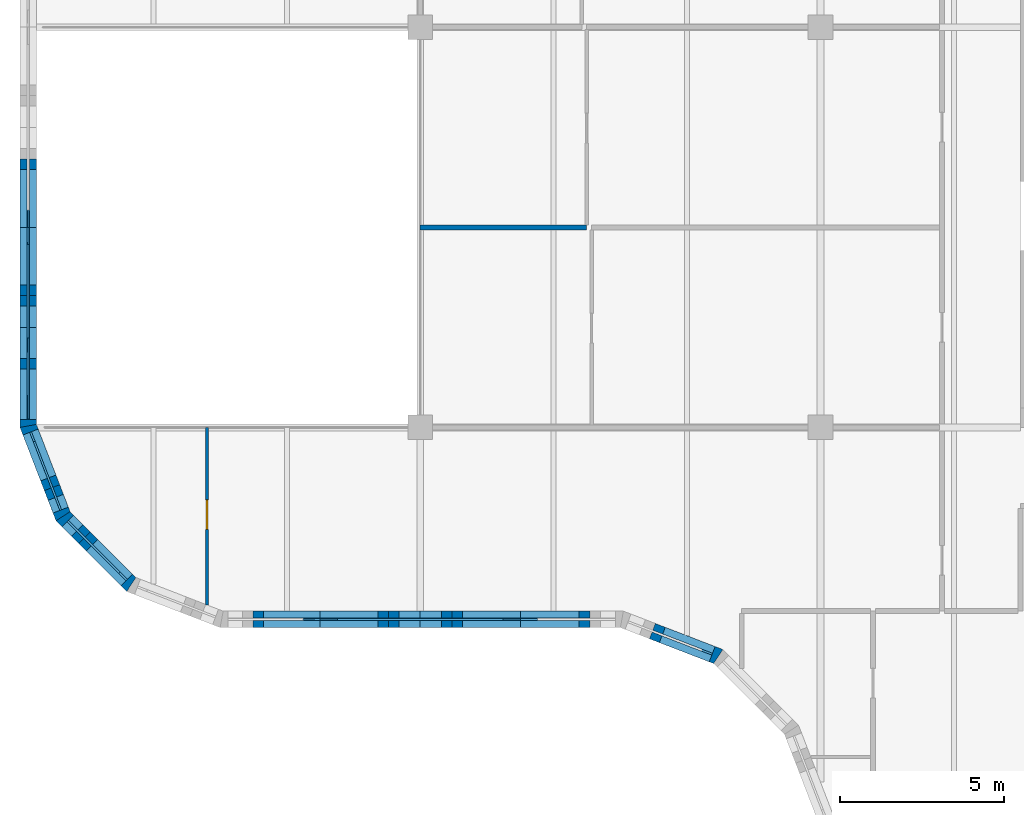
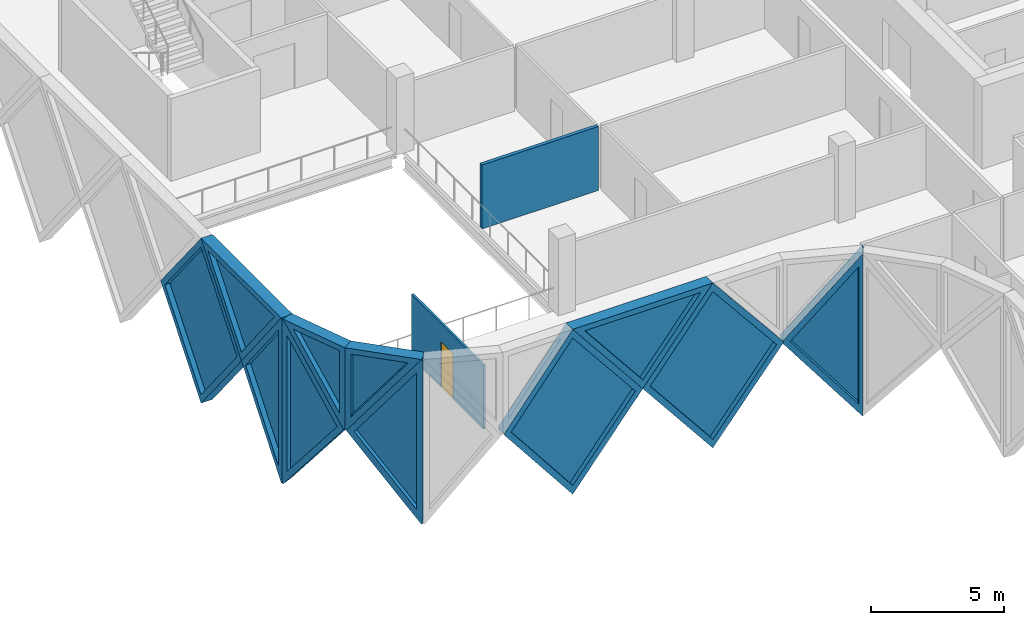
# One storey, part 4 of 15: 13 walls, 11 plates, 1 door, 12 openings.
"""IFC4 building model written with IfcOpenShell, lengths in metres."""

import ifcopenshell
import ifcopenshell.guid

model = None  # the IFC model being written
_history = None  # IfcOwnerHistory: only IFC2X3 demands one
_inside = {}  # id of a spatial element -> (the spatial element, [elements in it])
_under = {}  # id of a project, library or spatial element -> (it, [spatial elements below it])
_declared = {}  # id of a project -> (the project, [libraries it declares])
_typed = {}  # id of a type object -> (the type object, [elements of that type])
_made_of = {}  # id of a material, layer set ... -> (it, [elements and type objects made of it])


def new_model(schema):
    """Start an empty IFC model of exactly this schema.

    Asked for "IFC4X3", IfcOpenShell would pick the latest addendum, in which some entities
    have other attributes; the version numbers below select the first issue.
    IFC2X3 requires an IfcOwnerHistory on every rooted entity: one is made here for all.
    """
    global model, _history
    if schema == "IFC4X3":
        model = ifcopenshell.file(schema_version=(4, 3, 0, 0))
    else:
        model = ifcopenshell.file(schema=schema)
    _inside.clear()
    _under.clear()
    _declared.clear()
    _typed.clear()
    _made_of.clear()
    _history = None
    if model.schema == "IFC2X3":
        org = make("IfcOrganization", Name="unknown")
        user = make(
            "IfcPersonAndOrganization",
            ThePerson=make("IfcPerson", FamilyName="unknown"),
            TheOrganization=org,
        )
        app = make(
            "IfcApplication",
            ApplicationDeveloper=org,
            Version="unknown",
            ApplicationFullName="unknown",
            ApplicationIdentifier="unknown",
        )
        _history = make(
            "IfcOwnerHistory",
            OwningUser=user,
            OwningApplication=app,
            ChangeAction="ADDED",
            CreationDate=0,
        )
    return model


def make(cls, **values):
    """One entity of the class cls with the attributes given. An attribute that is None is left unset."""
    return model.create_entity(
        cls, **{name: value for name, value in values.items() if value is not None}
    )


def rooted(cls, **values):
    """An entity with a GlobalId (a new one), such as an element, a storey or a relation."""
    return make(cls, GlobalId=ifcopenshell.guid.new(), OwnerHistory=_history, **values)


def si_unit(unit_type, name, prefix=None):
    """IfcSIUnit, for example si_unit("LENGTHUNIT", "METRE", prefix="MILLI")."""
    return make("IfcSIUnit", UnitType=unit_type, Prefix=prefix, Name=name)


def assignment(units):
    """IfcUnitAssignment: the units of a project."""
    return None if units is None else make("IfcUnitAssignment", Units=units)


def point(xyz):
    """IfcCartesianPoint."""
    return None if xyz is None else make("IfcCartesianPoint", Coordinates=xyz)


def direction(xyz):
    """IfcDirection."""
    return None if xyz is None else make("IfcDirection", DirectionRatios=xyz)


def frame(location, z_axis=None, x_axis=None):
    """IfcAxis2Placement3D, a coordinate frame: its origin and axes. An axis left out is left unset."""
    return make(
        "IfcAxis2Placement3D",
        Location=point(location),
        Axis=direction(z_axis),
        RefDirection=direction(x_axis),
    )


def frame_2d(location, x_axis=None):
    """IfcAxis2Placement2D, a coordinate frame in the plane: its origin and x axis."""
    return make(
        "IfcAxis2Placement2D", Location=point(location), RefDirection=direction(x_axis)
    )


def origin():
    """The frame at (0, 0, 0) with its axes left unset."""
    return frame((0.0, 0.0, 0.0))


def place(relative_to, where):
    """IfcLocalPlacement: puts the frame where relative to a parent placement (None: the world)."""
    return make(
        "IfcLocalPlacement", PlacementRelTo=relative_to, RelativePlacement=where
    )


def context(
    kind, dimensions, precision=None, world=None, true_north=None, identifier=None
):
    """IfcGeometricRepresentationContext, for example the 3D "Model" context."""
    return make(
        "IfcGeometricRepresentationContext",
        ContextIdentifier=identifier,
        ContextType=kind,
        CoordinateSpaceDimension=dimensions,
        Precision=precision,
        WorldCoordinateSystem=world,
        TrueNorth=true_north,
    )


def subcontext(parent, identifier, kind, view, scale=None):
    """IfcGeometricRepresentationSubContext, for example "Body" below "Model"."""
    return make(
        "IfcGeometricRepresentationSubContext",
        ContextIdentifier=identifier,
        ContextType=kind,
        ParentContext=parent,
        TargetScale=scale,
        TargetView=view,
    )


def project(units=None, contexts=None):
    """IfcProject with its units and contexts."""
    return rooted(
        "IfcProject",
        Name="project",
        RepresentationContexts=contexts,
        UnitsInContext=assignment(units),
    )


def spatial(cls, under=None, at=None, **own):
    """A site, building, storey or space (cls), placed at a placement, below another one or the project."""
    s = rooted(cls, ObjectPlacement=at, **own)
    if under is not None:
        _under.setdefault(under.id(), (under, []))[1].append(s)
    return s


def polyline(points):
    """IfcPolyline through the points."""
    return make("IfcPolyline", Points=[point(p) for p in points])


def profile(cls, at=None, kind="AREA", **sizes):
    """A parametric profile (cls). Its sizes go by their IFC names, for example OverallWidth=200.0."""
    return make(cls, ProfileType=kind, Position=at, **sizes)


def rectangle(**sizes):
    """IfcRectangleProfileDef."""
    return profile("IfcRectangleProfileDef", **sizes)


def outline(outer, holes=None, kind="AREA"):
    """IfcArbitraryClosedProfileDef: a profile drawn as a closed curve; with holes, ...WithVoids."""
    if holes is None:
        return make("IfcArbitraryClosedProfileDef", ProfileType=kind, OuterCurve=outer)
    return make(
        "IfcArbitraryProfileDefWithVoids",
        ProfileType=kind,
        OuterCurve=outer,
        InnerCurves=holes,
    )


def extrude(swept, where, along, depth):
    """IfcExtrudedAreaSolid: the profile swept, set in the frame where, extruded along a direction by depth."""
    return make(
        "IfcExtrudedAreaSolid",
        SweptArea=swept,
        Position=where,
        ExtrudedDirection=direction(along),
        Depth=depth,
    )


def faces_of(points, faces, orient=None, outer=None):
    """IfcFace entities. A face is a list of loops; a loop is a list of indices into points, from 0.

    orient and outer hold one flag for each loop. By default every Orientation is true, the
    first loop of a face is its IfcFaceOuterBound and the others are IfcFaceBound.
    """
    made = []
    for i, loops in enumerate(faces):
        bounds = []
        for j, loop in enumerate(loops):
            is_outer = j == 0 if outer is None else outer[i][j]
            bounds.append(
                make(
                    "IfcFaceOuterBound" if is_outer else "IfcFaceBound",
                    Bound=make("IfcPolyLoop", Polygon=[points[k] for k in loop]),
                    Orientation=True if orient is None else orient[i][j],
                )
            )
        made.append(make("IfcFace", Bounds=bounds))
    return made


def faceted_brep(points, faces, orient=None, outer=None, voids=None):
    """IfcFacetedBrep: a solid bounded by flat faces; with voids (closed shells), ...WithVoids."""
    shared = [point(p) for p in points]
    hull = make("IfcClosedShell", CfsFaces=faces_of(shared, faces, orient, outer))
    if voids is None:
        return make("IfcFacetedBrep", Outer=hull)
    return make(
        "IfcFacetedBrepWithVoids",
        Outer=hull,
        Voids=[
            make(cls, CfsFaces=faces_of(shared, fs, o, b)) for cls, fs, o, b in voids
        ],
    )


def shape(context_of_items, identifier, shape_type, items):
    """IfcShapeRepresentation: the items that make up one representation, for example the "Body"."""
    return make(
        "IfcShapeRepresentation",
        ContextOfItems=context_of_items,
        RepresentationIdentifier=identifier,
        RepresentationType=shape_type,
        Items=items,
    )


def source(mapping_origin, context_of_items, identifier, shape_type, items):
    """IfcRepresentationMap: a shape defined once, which mapped items show again and again."""
    return make(
        "IfcRepresentationMap",
        MappingOrigin=mapping_origin,
        MappedRepresentation=shape(context_of_items, identifier, shape_type, items),
    )


def transform(
    local_origin,
    x_axis=None,
    y_axis=None,
    z_axis=None,
    scale=None,
    scale2=None,
    scale3=None,
    uniform=True,
):
    """IfcCartesianTransformationOperator3D, or its non-uniform kind. x_axis, y_axis, z_axis: its Axis1, 2, 3."""
    if uniform:
        return make(
            "IfcCartesianTransformationOperator3D",
            Axis1=direction(x_axis),
            Axis2=direction(y_axis),
            LocalOrigin=point(local_origin),
            Scale=scale,
            Axis3=direction(z_axis),
        )
    return make(
        "IfcCartesianTransformationOperator3DnonUniform",
        Axis1=direction(x_axis),
        Axis2=direction(y_axis),
        LocalOrigin=point(local_origin),
        Scale=scale,
        Axis3=direction(z_axis),
        Scale2=scale2,
        Scale3=scale3,
    )


def mapped(mapping_source, mapping_target):
    """IfcMappedItem: shows the shape of a source again, moved by a transform."""
    return make(
        "IfcMappedItem", MappingSource=mapping_source, MappingTarget=mapping_target
    )


def material(Name=None, Category=None):
    """IfcMaterial."""
    return make("IfcMaterial", Name=Name, Category=Category)


def layer(
    of_material, thickness, ventilated=None, Name=None, Category=None, Priority=None
):
    """IfcMaterialLayer: one layer of a wall or slab, of a material (None: an air gap)."""
    return make(
        "IfcMaterialLayer",
        Material=of_material,
        LayerThickness=thickness,
        IsVentilated=ventilated,
        Name=Name,
        Category=Category,
        Priority=Priority,
    )


def layer_set(layers, Name=None):
    """IfcMaterialLayerSet."""
    return make("IfcMaterialLayerSet", MaterialLayers=layers, LayerSetName=Name)


def made_of(thing, what):
    """Note that an element or type object is made of a material, layer set ...; save() writes the relation."""
    if what is not None:
        _made_of.setdefault(what.id(), (what, []))[1].append(thing)
    return thing


def type_object(cls, material=None, **own):
    """A type object (cls), such as IfcWallType, which elements share."""
    return made_of(rooted(cls, **own), material)


def element(
    cls,
    number,
    at=None,
    inside=None,
    cuts=None,
    type_object=None,
    material=None,
    context=None,
    identifier="Body",
    shape_type=None,
    held_by="IfcProductDefinitionShape",
    body=None,
    shapes=None,
    **own,
):
    """One element of the class cls, such as IfcWall. Its Tag is "e" and its number.

    at: its placement. inside: the storey or other place that contains it. cuts: it is an
    opening in that element (IfcRelVoidsElement). A single representation is given by context,
    identifier, shape_type and body (its items); several are given by shapes. held_by: the class
    of the entity that holds the representations. save() writes the other relations.
    """
    e = rooted(cls, Tag="e%d" % number, ObjectPlacement=at, **own)
    if body is not None:
        shapes = [shape(context, identifier, shape_type, body)]
    if shapes is not None:
        e.Representation = make(held_by, Representations=shapes)
    if inside is not None:
        _inside.setdefault(inside.id(), (inside, []))[1].append(e)
    if cuts is not None:
        rooted(
            "IfcRelVoidsElement", RelatingBuildingElement=cuts, RelatedOpeningElement=e
        )
    if type_object is not None:
        _typed.setdefault(type_object.id(), (type_object, []))[1].append(e)
    return made_of(e, material)


def fill(opening, filler):
    """IfcRelFillsElement: the door or window that sits in an opening."""
    return rooted(
        "IfcRelFillsElement",
        RelatingOpeningElement=opening,
        RelatedBuildingElement=filler,
    )


def aggregate(whole, parts):
    """IfcRelAggregates: a whole, such as a stair, and the parts it consists of."""
    return rooted("IfcRelAggregates", RelatingObject=whole, RelatedObjects=parts)


def save(model, path):
    """Write the relations noted so far, then the file.

    IfcRelAggregates (storeys below a building ...), IfcRelContainedInSpatialStructure (elements
    in a storey), IfcRelDefinesByType, IfcRelAssociatesMaterial and IfcRelDeclares: one each for
    every whole, place, type object, material and project.
    """
    for whole, parts in _under.values():
        aggregate(whole, parts)
    for where, things in _inside.values():
        rooted(
            "IfcRelContainedInSpatialStructure",
            RelatedElements=things,
            RelatingStructure=where,
        )
    for kind, things in _typed.values():
        rooted("IfcRelDefinesByType", RelatedObjects=things, RelatingType=kind)
    for what, things in _made_of.values():
        rooted("IfcRelAssociatesMaterial", RelatedObjects=things, RelatingMaterial=what)
    for by, libraries in _declared.values():
        rooted("IfcRelDeclares", RelatingContext=by, RelatedDefinitions=libraries)
    model.write(path)


model = new_model("IFC4")

# Units and contexts
model_context = context("Model", 3, precision=1e-05, world=origin(), true_north=direction((0.0, 1.0)))
body_context = subcontext(model_context, "Body", "Model", "MODEL_VIEW")
ifc_project = project(units=[si_unit("LENGTHUNIT", "METRE"), si_unit("AREAUNIT", "SQUARE_METRE"), si_unit("VOLUMEUNIT", "CUBIC_METRE"), si_unit("PLANEANGLEUNIT", "RADIAN"), si_unit("MASSUNIT", "GRAM", prefix="KILO")], contexts=[model_context])

# Site, building, storey
site_placement = place(None, origin())
site = spatial("IfcSite", under=ifc_project, at=site_placement, CompositionType="ELEMENT")
building_placement = place(site_placement, origin())
building = spatial("IfcBuilding", under=site, at=building_placement, Name="Tessera Gate Towers", CompositionType="ELEMENT")
storey_placement = place(building_placement, frame((0.0, 0.0, 189.60009765625)))
storey = spatial("IfcBuildingStorey", under=building, at=storey_placement, Name="L47", CompositionType="ELEMENT", Elevation=189.60009765625)

# Wall, opening, door
ifc_material_1 = material(Name="Glass", Category="glass")
ifc_layer_1 = layer(ifc_material_1, 0.10009765625)
ifc_layer_set_1 = layer_set([ifc_layer_1], Name="GLAZED PARTITION 100")
wall_type_1 = type_object("IfcWallType", Name="GLAZED PARTITION 100", PredefinedType="PARTITIONING", material=ifc_layer_set_1)
wall_1_placement = place(storey_placement, frame((5.699951171875, 18.990234375, 0.0), z_axis=(0.0, 0.0, 1.0), x_axis=(0.0, 1.0, 0.0)))
wall_1 = element("IfcWall", 1, at=wall_1_placement, inside=storey, type_object=wall_type_1, Name="T1-L47-PW-022", PredefinedType="PARTITIONING", context=body_context, shape_type="SweptSolid", body=[
    extrude(rectangle(XDim=5.40966796875, YDim=0.10009765625, at=frame_2d((2.704833984375, 0.0))), origin(), (0.0, 0.0, 1.0), 2.947021484375),
])
shared_shape_1 = source(origin(), body_context, "Body", "SweptSolid", [
    extrude(rectangle(XDim=0.89990234375, YDim=2.10009765625, at=frame_2d((0.449951171875, 1.050048828125))), frame((0.0, 0.06005859375, 0.0), z_axis=(0.0, -1.0, 0.0), x_axis=(1.0, 0.0, 0.0)), (0.0, 0.0, 1.0), 0.1201171875),
])
opening_1_placement = place(wall_1_placement, frame((2.300048828125, 0.0, 0.0)))
opening_1 = element("IfcOpeningElement", 2, at=opening_1_placement, cuts=wall_1, Name="Opening D690-A17-04", PredefinedType="OPENING", context=body_context, shape_type="MappedRepresentation", body=[
    mapped(shared_shape_1, transform((0.0, 0.0, 0.0), scale=1.0)),
])
ifc_material_2 = material(Name="Glass in aluminium frame", Category="aluminium")
door_type = type_object("IfcDoorType", Name="GLAZED DOOR 900 NOT RATED", OperationType="NOTDEFINED", PredefinedType="DOOR", material=ifc_material_2)
shared_shape_2 = source(origin(), body_context, "Body", "SweptSolid", [
    extrude(rectangle(XDim=0.89990234375, YDim=2.10009765625, at=frame_2d((0.449951171875, 1.050048828125))), frame((0.0, 0.02490234375, 0.0), z_axis=(0.0, -1.0, 0.0), x_axis=(1.0, 0.0, 0.0)), (0.0, 0.0, 1.0), 0.050048828125),
])
door_placement = place(opening_1_placement, origin())
door = element("IfcDoor", 3, at=door_placement, inside=storey, type_object=door_type, Name="T1-L47-PD-010", OperationType="SINGLE_SWING_LEFT", OverallHeight=2.10009765625, OverallWidth=0.89990234375, PredefinedType="DOOR", context=body_context, shape_type="MappedRepresentation", body=[
    mapped(shared_shape_2, transform((0.0, 0.0, 0.0), scale=1.0)),
])
fill(opening_1, door)

# Wall
ifc_material_3 = material(Name="Gypsum board on steel studs, mineral wool", Category="steel")
ifc_layer_2 = layer(ifc_material_3, 0.14990234375)
ifc_layer_set_2 = layer_set([ifc_layer_2], Name="TENANCY WALL 150")
wall_type_2 = type_object("IfcWallType", Name="TENANCY WALL 150", PredefinedType="PARTITIONING", material=ifc_layer_set_2)
wall_2_placement = place(storey_placement, frame((12.199951171875, 30.5, 0.0), z_axis=(0.0, 0.0, 1.0), x_axis=(1.0, 0.0, 0.0)))
element("IfcWall", 4, at=wall_2_placement, inside=storey, type_object=wall_type_2, Name="T1-L47-PW-031", PredefinedType="PARTITIONING", context=body_context, shape_type="SweptSolid", body=[
    extrude(rectangle(XDim=5.074951171875, YDim=0.14990234375, at=frame_2d((2.53759765625, 0.0))), origin(), (0.0, 0.0, 1.0), 2.947021484375),
])

# Wall, opening, plate
ifc_material_4 = material(Name="Precast concrete C60/75 white", Category="concrete")
ifc_layer_3 = layer(ifc_material_4, 0.5)
ifc_layer_set_3 = layer_set([ifc_layer_3], Name="TS1 tessera")
wall_type_3 = type_object("IfcWallType", Name="TS1 tessera", PredefinedType="SOLIDWALL", material=ifc_layer_set_3)
shared_shape_3 = source(origin(), body_context, "Body", "Brep", [
    faceted_brep([(3.00341796875, -0.25, 0.0), (6.053466796875, -0.25, 3.800048828125), (3.00341796875, -0.25, 7.599853515625), (0.0, -0.25, 3.800048828125), (0.046630859375, 0.25, 3.85888671875), (3.00341796875, 0.25, 7.599853515625), (6.053466796875, 0.25, 3.800048828125), (3.00341796875, 0.25, 0.0), (0.046630859375, 0.25, 3.7412109375), (0.0, 0.0, 3.800048828125)], [[[0, 1, 2, 3]], [[4, 5, 6, 7, 8]], [[7, 6, 1, 0]], [[6, 5, 2, 1]], [[5, 4, 9, 3, 2]], [[8, 7, 0, 3, 9]], [[8, 9, 4]]]),
])
wall_3_placement = place(storey_placement, frame((6.146484375, 18.550048828125, -3.800048828125), z_axis=(0.0, 0.0, 1.0), x_axis=(1.0, 0.0, 0.0)))
wall_3 = element("IfcWall", 5, at=wall_3_placement, inside=storey, type_object=wall_type_3, Name="Precast tessera T1 TS1-0849", PredefinedType="SOLIDWALL", context=body_context, shape_type="MappedRepresentation", body=[
    mapped(shared_shape_3, transform((0.0, 0.0, 0.0), scale=1.0)),
])
shared_shape_4 = source(origin(), body_context, "Body", "SweptSolid", [
    extrude(outline(polyline([(3.0048828125, 0.401123046875), (5.73291015625, 3.800048828125), (3.0048828125, 7.19873046875), (0.318603515625, 3.800048828125), (3.0048828125, 0.401123046875)])), frame((0.0, 0.260009765625, 0.0), z_axis=(0.0, -1.0, 0.0), x_axis=(1.0, 0.0, 0.0)), (0.0, 0.0, 1.0), 0.52001953125),
])
opening_2_placement = place(wall_3_placement, origin())
opening_2 = element("IfcOpeningElement", 6, at=opening_2_placement, cuts=wall_3, Name="Opening T1-PL2-1729", PredefinedType="OPENING", context=body_context, shape_type="MappedRepresentation", body=[
    mapped(shared_shape_4, transform((0.0, 0.0, 0.0), scale=1.0)),
])
ifc_material_5 = material(Name="Low-e laminated glass", Category="glass")
ifc_layer_4 = layer(ifc_material_5, 0.06005859375)
ifc_layer_set_4 = layer_set([ifc_layer_4], Name="PL2 rhombic pane")
plate_type_1 = type_object("IfcPlateType", Name="PL2 rhombic pane", PredefinedType="SHEET", material=ifc_layer_set_4)
shared_shape_5 = source(origin(), body_context, "Body", "SweptSolid", [
    extrude(outline(polyline([(3.0048828125, 0.401123046875), (5.73291015625, 3.800048828125), (3.0048828125, 7.19873046875), (0.318603515625, 3.800048828125), (3.0048828125, 0.401123046875)])), frame((0.0, 0.030029296875, 0.0), z_axis=(0.0, -1.0, 0.0), x_axis=(1.0, 0.0, 0.0)), (0.0, 0.0, 1.0), 0.06005859375),
])
plate_1_placement = place(opening_2_placement, origin())
plate_1 = element("IfcPlate", 7, at=plate_1_placement, inside=storey, type_object=plate_type_1, Name="Glass pane T1 PL2-1729", PredefinedType="SHEET", context=body_context, shape_type="MappedRepresentation", body=[
    mapped(shared_shape_5, transform((0.0, 0.0, 0.0), scale=1.0)),
])
fill(opening_2, plate_1)

shared_shape_6 = source(origin(), body_context, "Body", "SweptSolid", [
    extrude(outline(polyline([(3.050048828125, 0.0), (6.10009765625, 3.800048828125), (3.050048828125, 7.599853515625), (0.0, 3.800048828125), (3.050048828125, 0.0)])), frame((0.0, 0.25, 0.0), z_axis=(0.0, -1.0, 0.0), x_axis=(1.0, 0.0, 0.0)), (0.0, 0.0, 1.0), 0.5),
])
wall_4_placement = place(storey_placement, frame((0.25, 33.550048828125, -3.800048828125), z_axis=(0.0, 0.0, 1.0), x_axis=(0.0, -1.0, 0.0)))
wall_4 = element("IfcWall", 8, at=wall_4_placement, inside=storey, type_object=wall_type_3, Name="Precast tessera T1 TS1-0848", PredefinedType="SOLIDWALL", context=body_context, shape_type="MappedRepresentation", body=[
    mapped(shared_shape_6, transform((0.0, 0.0, 0.0), scale=1.0)),
])
shared_shape_7 = source(origin(), body_context, "Body", "SweptSolid", [
    extrude(outline(polyline([(3.050048828125, 0.3994140625), (5.779541015625, 3.800048828125), (3.050048828125, 7.200439453125), (0.320556640625, 3.800048828125), (3.050048828125, 0.3994140625)])), frame((0.0, 0.260009765625, 0.0), z_axis=(0.0, -1.0, 0.0), x_axis=(1.0, 0.0, 0.0)), (0.0, 0.0, 1.0), 0.52001953125),
])
opening_3_placement = place(wall_4_placement, origin())
opening_3 = element("IfcOpeningElement", 9, at=opening_3_placement, cuts=wall_4, Name="Opening T1-PL2-1724", PredefinedType="OPENING", context=body_context, shape_type="MappedRepresentation", body=[
    mapped(shared_shape_7, transform((0.0, 0.0, 0.0), scale=1.0)),
])
shared_shape_8 = source(origin(), body_context, "Body", "SweptSolid", [
    extrude(outline(polyline([(3.050048828125, 0.3994140625), (5.779541015625, 3.800048828125), (3.050048828125, 7.200439453125), (0.320556640625, 3.800048828125), (3.050048828125, 0.3994140625)])), frame((0.0, 0.030029296875, 0.0), z_axis=(0.0, -1.0, 0.0), x_axis=(1.0, 0.0, 0.0)), (0.0, 0.0, 1.0), 0.06005859375),
])
plate_2_placement = place(opening_3_placement, origin())
plate_2 = element("IfcPlate", 10, at=plate_2_placement, inside=storey, type_object=plate_type_1, Name="Glass pane T1 PL2-1724", PredefinedType="SHEET", context=body_context, shape_type="MappedRepresentation", body=[
    mapped(shared_shape_8, transform((0.0, 0.0, 0.0), scale=1.0)),
])
fill(opening_3, plate_2)

ifc_material_6 = material(Name="Precast concrete C60/75 white", Category="concrete")
ifc_layer_5 = layer(ifc_material_6, 0.5)
ifc_layer_set_5 = layer_set([ifc_layer_5], Name="TS3 corner tessera")
wall_type_4 = type_object("IfcWallType", Name="TS3 corner tessera", PredefinedType="SOLIDWALL", material=ifc_layer_set_5)
shared_shape_9 = source(origin(), body_context, "Body", "Brep", [
    faceted_brep([(3.00341796875, -0.25, 0.0), (3.050048828125, -0.25, 0.06005859375), (3.050048828125, -0.25, 7.539794921875), (3.00341796875, -0.25, 7.599853515625), (0.0, -0.25, 3.800048828125), (0.0, 0.25, 3.800048828125), (2.956787109375, 0.25, 7.541015625), (2.956787109375, 0.25, 0.058837890625), (3.00341796875, 0.000244140625, 0.0), (3.00341796875, 0.000244140625, 7.599853515625)], [[[0, 1, 2, 3, 4]], [[5, 6, 7]], [[1, 0, 8]], [[9, 3, 2]], [[6, 5, 4, 3, 9]], [[5, 7, 8, 0, 4]], [[1, 8, 7, 6, 9, 2]]]),
])
wall_5_placement = place(storey_placement, frame((0.25, 27.449951171875, -3.800048828125), z_axis=(0.0, 0.0, 1.0), x_axis=(0.0, -1.0, 0.0)))
wall_5 = element("IfcWall", 11, at=wall_5_placement, inside=storey, type_object=wall_type_4, Name="Precast corner tessera T1 TS3-1093", PredefinedType="SOLIDWALL", context=body_context, shape_type="MappedRepresentation", body=[
    mapped(shared_shape_9, transform((0.0, 0.0, 0.0), scale=1.0)),
])
shared_shape_10 = source(origin(), body_context, "Body", "SweptSolid", [
    extrude(outline(polyline([(2.803466796875, 6.94384765625), (0.318603515625, 3.800048828125), (2.803466796875, 0.65625), (2.803466796875, 6.94384765625)])), frame((0.0, 0.260009765625, 0.0), z_axis=(0.0, -1.0, 0.0), x_axis=(1.0, 0.0, 0.0)), (0.0, 0.0, 1.0), 0.52001953125),
])
opening_4_placement = place(wall_5_placement, origin())
opening_4 = element("IfcOpeningElement", 12, at=opening_4_placement, cuts=wall_5, Name="Opening T1-PL2-1725", PredefinedType="OPENING", context=body_context, shape_type="MappedRepresentation", body=[
    mapped(shared_shape_10, transform((0.0, 0.0, 0.0), scale=1.0)),
])
shared_shape_11 = source(origin(), body_context, "Body", "SweptSolid", [
    extrude(outline(polyline([(2.803466796875, 6.94384765625), (0.318603515625, 3.800048828125), (2.803466796875, 0.65625), (2.803466796875, 6.94384765625)])), frame((0.0, 0.030029296875, 0.0), z_axis=(0.0, -1.0, 0.0), x_axis=(1.0, 0.0, 0.0)), (0.0, 0.0, 1.0), 0.06005859375),
])
plate_3_placement = place(opening_4_placement, origin())
plate_3 = element("IfcPlate", 13, at=plate_3_placement, inside=storey, type_object=plate_type_1, Name="Glass pane T1 PL2-1725", PredefinedType="SHEET", context=body_context, shape_type="MappedRepresentation", body=[
    mapped(shared_shape_11, transform((0.0, 0.0, 0.0), scale=1.0)),
])
fill(opening_4, plate_3)

shared_shape_12 = source(origin(), body_context, "Body", "Brep", [
    faceted_brep([(0.046630859375, -0.25, 0.0), (2.9970703125, -0.25, 3.800048828125), (0.046630859375, -0.25, 7.599853515625), (0.0, -0.25, 7.541015625), (0.0, -0.25, 0.058837890625), (0.09326171875, 0.25, 7.539794921875), (2.9443359375, 0.25, 3.8681640625), (2.9443359375, 0.25, 3.73193359375), (0.09326171875, 0.25, 0.06005859375), (2.9970703125, 0.00048828125, 3.800048828125), (0.046630859375, 0.0, 0.0), (0.046630859375, 0.0, 7.599853515625)], [[[0, 1, 2, 3, 4]], [[5, 6, 7, 8]], [[8, 7, 9, 1, 0, 10]], [[6, 5, 11, 2, 1, 9]], [[3, 2, 11]], [[10, 0, 4]], [[8, 10, 4, 3, 11, 5]], [[7, 6, 9]]]),
])
wall_6_placement = place(storey_placement, frame((0.233154296875, 24.489990234375, -3.800048828125), z_axis=(0.0, 0.0, 1.0), x_axis=(0.359901446078, -0.932990326376, 0.0)))
wall_6 = element("IfcWall", 14, at=wall_6_placement, inside=storey, type_object=wall_type_4, Name="Precast corner tessera T1 TS3-1094", PredefinedType="SOLIDWALL", context=body_context, shape_type="MappedRepresentation", body=[
    mapped(shared_shape_12, transform((0.0, 0.0, 0.0), scale=1.0)),
])
shared_shape_13 = source(origin(), body_context, "Body", "SweptSolid", [
    extrude(outline(polyline([(0.24658203125, 0.665283203125), (2.6806640625, 3.800048828125), (0.24658203125, 6.934814453125), (0.24658203125, 0.665283203125)])), frame((0.0, 0.260009765625, 0.0), z_axis=(0.0, -1.0, 0.0), x_axis=(1.0, 0.0, 0.0)), (0.0, 0.0, 1.0), 0.52001953125),
])
opening_5_placement = place(wall_6_placement, origin())
opening_5 = element("IfcOpeningElement", 15, at=opening_5_placement, cuts=wall_6, Name="Opening T1-PL2-1726", PredefinedType="OPENING", context=body_context, shape_type="MappedRepresentation", body=[
    mapped(shared_shape_13, transform((0.0, 0.0, 0.0), scale=1.0)),
])
shared_shape_14 = source(origin(), body_context, "Body", "SweptSolid", [
    extrude(outline(polyline([(0.24658203125, 0.665283203125), (2.6806640625, 3.800048828125), (0.24658203125, 6.934814453125), (0.24658203125, 0.665283203125)])), frame((0.0, 0.030029296875, 0.0), z_axis=(0.0, -1.0, 0.0), x_axis=(1.0, 0.0, 0.0)), (0.0, 0.0, 1.0), 0.06005859375),
])
plate_4_placement = place(opening_5_placement, origin())
plate_4 = element("IfcPlate", 16, at=plate_4_placement, inside=storey, type_object=plate_type_1, Name="Glass pane T1 PL2-1726", PredefinedType="SHEET", context=body_context, shape_type="MappedRepresentation", body=[
    mapped(shared_shape_14, transform((0.0, 0.0, 0.0), scale=1.0)),
])
fill(opening_5, plate_4)

shared_shape_15 = source(origin(), body_context, "Body", "Brep", [
    faceted_brep([(2.944091796875, -0.25, 0.0), (2.9970703125, -0.25, 0.068115234375), (2.9970703125, -0.25, 7.53173828125), (2.944091796875, -0.25, 7.599853515625), (0.0, -0.25, 3.800048828125), (0.052978515625, 0.25, 3.868408203125), (2.89111328125, 0.25, 7.53173828125), (2.89111328125, 0.25, 0.068115234375), (0.052978515625, 0.25, 3.731689453125), (2.944091796875, 0.000244140625, 0.0), (2.944091796875, 0.000244140625, 7.599853515625), (0.0, 0.0, 3.800048828125)], [[[0, 1, 2, 3, 4]], [[5, 6, 7, 8]], [[1, 0, 9]], [[10, 3, 2]], [[6, 5, 11, 4, 3, 10]], [[8, 7, 9, 0, 4, 11]], [[8, 11, 5]], [[1, 9, 7, 6, 10, 2]]]),
])
wall_7_placement = place(storey_placement, frame((1.31201171875, 21.69384765625, -3.800048828125), z_axis=(0.0, 0.0, 1.0), x_axis=(0.707066050402, -0.707147509625, 0.0)))
wall_7 = element("IfcWall", 17, at=wall_7_placement, inside=storey, type_object=wall_type_4, Name="Precast corner tessera T1 TS3-1095", PredefinedType="SOLIDWALL", context=body_context, shape_type="MappedRepresentation", body=[
    mapped(shared_shape_15, transform((0.0, 0.0, 0.0), scale=1.0)),
])
shared_shape_16 = source(origin(), body_context, "Body", "SweptSolid", [
    extrude(outline(polyline([(2.744140625, 6.93359375), (0.316162109375, 3.800048828125), (2.744140625, 0.666259765625), (2.744140625, 6.93359375)])), frame((0.0, 0.260009765625, 0.0), z_axis=(0.0, -1.0, 0.0), x_axis=(1.0, 0.0, 0.0)), (0.0, 0.0, 1.0), 0.52001953125),
])
opening_6_placement = place(wall_7_placement, origin())
opening_6 = element("IfcOpeningElement", 18, at=opening_6_placement, cuts=wall_7, Name="Opening T1-PL2-1727", PredefinedType="OPENING", context=body_context, shape_type="MappedRepresentation", body=[
    mapped(shared_shape_16, transform((0.0, 0.0, 0.0), scale=1.0)),
])
shared_shape_17 = source(origin(), body_context, "Body", "SweptSolid", [
    extrude(outline(polyline([(2.744140625, 6.93359375), (0.316162109375, 3.800048828125), (2.744140625, 0.666259765625), (2.744140625, 6.93359375)])), frame((0.0, 0.030029296875, 0.0), z_axis=(0.0, -1.0, 0.0), x_axis=(1.0, 0.0, 0.0)), (0.0, 0.0, 1.0), 0.06005859375),
])
plate_5_placement = place(opening_6_placement, origin())
plate_5 = element("IfcPlate", 19, at=plate_5_placement, inside=storey, type_object=plate_type_1, Name="Glass pane T1 PL2-1727", PredefinedType="SHEET", context=body_context, shape_type="MappedRepresentation", body=[
    mapped(shared_shape_17, transform((0.0, 0.0, 0.0), scale=1.0)),
])
fill(opening_6, plate_5)

shared_shape_18 = source(origin(), body_context, "Body", "Brep", [
    faceted_brep([(3.050048828125, -0.25, 0.0), (6.10009765625, -0.25, 3.742919921875), (6.10009765625, -0.25, 3.857177734375), (3.050048828125, -0.25, 7.599853515625), (0.0, -0.25, 3.800048828125), (0.0, 0.25, 3.800048828125), (3.050048828125, 0.25, 7.599853515625), (6.146484375, 0.25, 3.800048828125), (3.050048828125, 0.25, 0.0), (6.146484375, -0.000244140625, 3.800048828125)], [[[0, 1, 2, 3, 4]], [[5, 6, 7, 8]], [[8, 7, 9, 1, 0]], [[7, 6, 3, 2, 9]], [[6, 5, 4, 3]], [[5, 8, 0, 4]], [[1, 9, 2]]]),
])
wall_8_placement = place(storey_placement, frame((12.199951171875, 18.550048828125, -3.800048828125), z_axis=(0.0, 0.0, 1.0), x_axis=(1.0, 0.0, 0.0)))
wall_8 = element("IfcWall", 20, at=wall_8_placement, inside=storey, type_object=wall_type_3, Name="Precast tessera T1 TS1-0850", PredefinedType="SOLIDWALL", context=body_context, shape_type="MappedRepresentation", body=[
    mapped(shared_shape_18, transform((0.0, 0.0, 0.0), scale=1.0)),
])
shared_shape_19 = source(origin(), body_context, "Body", "SweptSolid", [
    extrude(outline(polyline([(3.051513671875, 0.3974609375), (5.823974609375, 3.800048828125), (3.051513671875, 7.202392578125), (0.320556640625, 3.800048828125), (3.051513671875, 0.3974609375)])), frame((0.0, 0.260009765625, 0.0), z_axis=(0.0, -1.0, 0.0), x_axis=(1.0, 0.0, 0.0)), (0.0, 0.0, 1.0), 0.52001953125),
])
opening_7_placement = place(wall_8_placement, origin())
opening_7 = element("IfcOpeningElement", 21, at=opening_7_placement, cuts=wall_8, Name="Opening T1-PL2-1730", PredefinedType="OPENING", context=body_context, shape_type="MappedRepresentation", body=[
    mapped(shared_shape_19, transform((0.0, 0.0, 0.0), scale=1.0)),
])
shared_shape_20 = source(origin(), body_context, "Body", "SweptSolid", [
    extrude(outline(polyline([(3.051513671875, 0.3974609375), (5.823974609375, 3.800048828125), (3.051513671875, 7.202392578125), (0.320556640625, 3.800048828125), (3.051513671875, 0.3974609375)])), frame((0.0, 0.030029296875, 0.0), z_axis=(0.0, -1.0, 0.0), x_axis=(1.0, 0.0, 0.0)), (0.0, 0.0, 1.0), 0.06005859375),
])
plate_6_placement = place(opening_7_placement, origin())
plate_6 = element("IfcPlate", 22, at=plate_6_placement, inside=storey, type_object=plate_type_1, Name="Glass pane T1 PL2-1730", PredefinedType="SHEET", context=body_context, shape_type="MappedRepresentation", body=[
    mapped(shared_shape_20, transform((0.0, 0.0, 0.0), scale=1.0)),
])
fill(opening_7, plate_6)

shared_shape_21 = source(origin(), body_context, "Body", "Brep", [
    faceted_brep([(3.096435546875, -0.25, 7.5361328125), (0.046630859375, -0.25, 3.856201171875), (0.046630859375, -0.25, 3.743896484375), (3.096435546875, -0.25, 0.063720703125), (0.0, 0.25, 3.800048828125), (3.1494140625, 0.25, 7.599853515625), (3.202392578125, 0.25, 7.5361328125), (3.202392578125, 0.25, 0.063720703125), (3.1494140625, 0.25, 0.0), (3.1494140625, -0.000244140625, 0.0), (3.1494140625, -0.000244140625, 7.599853515625), (0.0, 0.0, 3.800048828125)], [[[0, 1, 2, 3]], [[4, 5, 6, 7, 8]], [[8, 7, 9]], [[6, 5, 10]], [[5, 4, 11, 1, 0, 10]], [[4, 8, 9, 3, 2, 11]], [[2, 1, 11]], [[3, 9, 7, 6, 10, 0]]]),
])
wall_9_placement = place(storey_placement, frame((18.346435546875, 18.550048828125, -3.800048828125), z_axis=(0.0, 0.0, 1.0), x_axis=(0.932985567668, -0.359913782069, 0.0)))
wall_9 = element("IfcWall", 23, at=wall_9_placement, inside=storey, type_object=wall_type_4, Name="Precast corner tessera T1 TS3-1097", PredefinedType="SOLIDWALL", context=body_context, shape_type="MappedRepresentation", body=[
    mapped(shared_shape_21, transform((0.0, 0.0, 0.0), scale=1.0)),
])
shared_shape_22 = source(origin(), body_context, "Body", "SweptSolid", [
    extrude(outline(polyline([(2.949462890625, 6.966796875), (0.32470703125, 3.800048828125), (2.949462890625, 0.633056640625), (2.949462890625, 6.966796875)])), frame((0.0, 0.260009765625, 0.0), z_axis=(0.0, -1.0, 0.0), x_axis=(1.0, 0.0, 0.0)), (0.0, 0.0, 1.0), 0.52001953125),
])
opening_8_placement = place(wall_9_placement, origin())
opening_8 = element("IfcOpeningElement", 24, at=opening_8_placement, cuts=wall_9, Name="Opening T1-PL2-1731", PredefinedType="OPENING", context=body_context, shape_type="MappedRepresentation", body=[
    mapped(shared_shape_22, transform((0.0, 0.0, 0.0), scale=1.0)),
])
shared_shape_23 = source(origin(), body_context, "Body", "SweptSolid", [
    extrude(outline(polyline([(2.949462890625, 6.966796875), (0.32470703125, 3.800048828125), (2.949462890625, 0.633056640625), (2.949462890625, 6.966796875)])), frame((0.0, 0.030029296875, 0.0), z_axis=(0.0, -1.0, 0.0), x_axis=(1.0, 0.0, 0.0)), (0.0, 0.0, 1.0), 0.06005859375),
])
plate_7_placement = place(opening_8_placement, origin())
plate_7 = element("IfcPlate", 25, at=plate_7_placement, inside=storey, type_object=plate_type_1, Name="Glass pane T1 PL2-1731", PredefinedType="SHEET", context=body_context, shape_type="MappedRepresentation", body=[
    mapped(shared_shape_23, transform((0.0, 0.0, 0.0), scale=1.0)),
])
fill(opening_8, plate_7)

ifc_material_7 = material(Name="Precast concrete C60/75 white", Category="concrete")
ifc_layer_6 = layer(ifc_material_7, 0.5)
ifc_layer_set_6 = layer_set([ifc_layer_6], Name="TS2 half tessera")
wall_type_5 = type_object("IfcWallType", Name="TS2 half tessera", PredefinedType="SOLIDWALL", material=ifc_layer_set_6)
shared_shape_24 = source(origin(), body_context, "Body", "SweptSolid", [
    extrude(outline(polyline([(3.050048828125, 0.0), (6.10009765625, 3.7998046875), (0.0, 3.7998046875), (3.050048828125, 0.0)])), frame((0.0, 0.25, 0.0), z_axis=(0.0, -1.0, 0.0), x_axis=(1.0, 0.0, 0.0)), (0.0, 0.0, 1.0), 0.5),
])
wall_10_placement = place(storey_placement, frame((9.14990234375, 18.550048828125, 0.0), z_axis=(0.0, 0.0, 1.0), x_axis=(1.0, 0.0, 0.0)))
wall_10 = element("IfcWall", 26, at=wall_10_placement, inside=storey, type_object=wall_type_5, Name="Precast half tessera T1 TS2-0228", PredefinedType="SOLIDWALL", context=body_context, shape_type="MappedRepresentation", body=[
    mapped(shared_shape_24, transform((0.0, 0.0, 0.0), scale=1.0)),
])
shared_shape_25 = source(origin(), body_context, "Body", "SweptSolid", [
    extrude(outline(polyline([(3.050048828125, 0.3994140625), (5.578857421875, 3.5498046875), (0.521240234375, 3.5498046875), (3.050048828125, 0.3994140625)])), frame((0.0, 0.260009765625, 0.0), z_axis=(0.0, -1.0, 0.0), x_axis=(1.0, 0.0, 0.0)), (0.0, 0.0, 1.0), 0.52001953125),
])
opening_9_placement = place(wall_10_placement, origin())
opening_9 = element("IfcOpeningElement", 27, at=opening_9_placement, cuts=wall_10, Name="Opening T1-PL1-0462", PredefinedType="OPENING", context=body_context, shape_type="MappedRepresentation", body=[
    mapped(shared_shape_25, transform((0.0, 0.0, 0.0), scale=1.0)),
])
ifc_material_8 = material(Name="Low-e laminated glass", Category="glass")
ifc_layer_7 = layer(ifc_material_8, 0.06005859375)
ifc_layer_set_7 = layer_set([ifc_layer_7], Name="PL1 triangular pane")
plate_type_2 = type_object("IfcPlateType", Name="PL1 triangular pane", PredefinedType="SHEET", material=ifc_layer_set_7)
shared_shape_26 = source(origin(), body_context, "Body", "SweptSolid", [
    extrude(outline(polyline([(3.050048828125, 0.3994140625), (5.578857421875, 3.5498046875), (0.521240234375, 3.5498046875), (3.050048828125, 0.3994140625)])), frame((0.0, 0.030029296875, 0.0), z_axis=(0.0, -1.0, 0.0), x_axis=(1.0, 0.0, 0.0)), (0.0, 0.0, 1.0), 0.06005859375),
])
plate_8_placement = place(opening_9_placement, origin())
plate_8 = element("IfcPlate", 28, at=plate_8_placement, inside=storey, type_object=plate_type_2, Name="Glass pane T1 PL1-0462", PredefinedType="SHEET", context=body_context, shape_type="MappedRepresentation", body=[
    mapped(shared_shape_26, transform((0.0, 0.0, 0.0), scale=1.0)),
])
fill(opening_9, plate_8)

shared_shape_27 = source(origin(), body_context, "Body", "Brep", [
    faceted_brep([(3.050048828125, -0.25, 0.0), (6.053466796875, -0.25, 3.7998046875), (0.0, -0.25, 3.7998046875), (0.0, 0.25, 3.7998046875), (6.0068359375, 0.25, 3.7998046875), (6.0068359375, 0.25, 3.740966796875), (3.050048828125, 0.25, 0.0), (6.053466796875, 0.0, 3.7998046875)], [[[0, 1, 2]], [[3, 4, 5, 6]], [[6, 5, 7, 1, 0]], [[4, 3, 2, 1, 7]], [[3, 6, 0, 2]], [[5, 4, 7]]]),
])
wall_11_placement = place(storey_placement, frame((0.25, 30.5, 0.0), z_axis=(0.0, 0.0, 1.0), x_axis=(0.0, -1.0, 0.0)))
wall_11 = element("IfcWall", 29, at=wall_11_placement, inside=storey, type_object=wall_type_5, Name="Precast half tessera T1 TS2-0227", PredefinedType="SOLIDWALL", context=body_context, shape_type="MappedRepresentation", body=[
    mapped(shared_shape_27, transform((0.0, 0.0, 0.0), scale=1.0)),
])
shared_shape_28 = source(origin(), body_context, "Body", "SweptSolid", [
    extrude(outline(polyline([(3.048583984375, 0.401123046875), (5.537109375, 3.5498046875), (0.521240234375, 3.5498046875), (3.048583984375, 0.401123046875)])), frame((0.0, 0.260009765625, 0.0), z_axis=(0.0, -1.0, 0.0), x_axis=(1.0, 0.0, 0.0)), (0.0, 0.0, 1.0), 0.52001953125),
])
opening_10_placement = place(wall_11_placement, origin())
opening_10 = element("IfcOpeningElement", 30, at=opening_10_placement, cuts=wall_11, Name="Opening T1-PL1-0457", PredefinedType="OPENING", context=body_context, shape_type="MappedRepresentation", body=[
    mapped(shared_shape_28, transform((0.0, 0.0, 0.0), scale=1.0)),
])
shared_shape_29 = source(origin(), body_context, "Body", "SweptSolid", [
    extrude(outline(polyline([(3.048583984375, 0.401123046875), (5.537109375, 3.5498046875), (0.521240234375, 3.5498046875), (3.048583984375, 0.401123046875)])), frame((0.0, 0.030029296875, 0.0), z_axis=(0.0, -1.0, 0.0), x_axis=(1.0, 0.0, 0.0)), (0.0, 0.0, 1.0), 0.06005859375),
])
plate_9_placement = place(opening_10_placement, origin())
plate_9 = element("IfcPlate", 31, at=plate_9_placement, inside=storey, type_object=plate_type_2, Name="Glass pane T1 PL1-0457", PredefinedType="SHEET", context=body_context, shape_type="MappedRepresentation", body=[
    mapped(shared_shape_29, transform((0.0, 0.0, 0.0), scale=1.0)),
])
fill(opening_10, plate_9)

shared_shape_30 = source(origin(), body_context, "Body", "Brep", [
    faceted_brep([(2.950439453125, -0.25, 0.0), (3.00341796875, -0.25, 0.068359375), (3.00341796875, -0.25, 3.7998046875), (0.0, -0.25, 3.7998046875), (0.046630859375, 0.25, 3.7998046875), (2.897705078125, 0.25, 3.7998046875), (2.897705078125, 0.25, 0.068115234375), (0.046630859375, 0.25, 3.73974609375), (2.950439453125, 0.00048828125, 0.0), (0.0, 0.0, 3.7998046875)], [[[0, 1, 2, 3]], [[4, 5, 6, 7]], [[1, 0, 8]], [[5, 4, 9, 3, 2]], [[7, 6, 8, 0, 3, 9]], [[7, 9, 4]], [[1, 8, 6, 5, 2]]]),
])
wall_12_placement = place(storey_placement, frame((0.25, 24.446533203125, 0.0), z_axis=(0.0, 0.0, 1.0), x_axis=(0.35992665181, -0.932980602862, 0.0)))
wall_12 = element("IfcWall", 32, at=wall_12_placement, inside=storey, type_object=wall_type_4, Name="Precast corner tessera T1 TS3-1119", PredefinedType="SOLIDWALL", context=body_context, shape_type="MappedRepresentation", body=[
    mapped(shared_shape_30, transform((0.0, 0.0, 0.0), scale=1.0)),
])
shared_shape_31 = source(origin(), body_context, "Body", "SweptSolid", [
    extrude(outline(polyline([(2.75048828125, 3.5498046875), (0.5107421875, 3.5498046875), (2.75048828125, 0.6650390625), (2.75048828125, 3.5498046875)])), frame((0.0, 0.260009765625, 0.0), z_axis=(0.0, -1.0, 0.0), x_axis=(1.0, 0.0, 0.0)), (0.0, 0.0, 1.0), 0.52001953125),
])
opening_11_placement = place(wall_12_placement, origin())
opening_11 = element("IfcOpeningElement", 33, at=opening_11_placement, cuts=wall_12, Name="Opening T1-PL1-0458", PredefinedType="OPENING", context=body_context, shape_type="MappedRepresentation", body=[
    mapped(shared_shape_31, transform((0.0, 0.0, 0.0), scale=1.0)),
])
shared_shape_32 = source(origin(), body_context, "Body", "SweptSolid", [
    extrude(outline(polyline([(2.75048828125, 3.5498046875), (0.5107421875, 3.5498046875), (2.75048828125, 0.6650390625), (2.75048828125, 3.5498046875)])), frame((0.0, 0.030029296875, 0.0), z_axis=(0.0, -1.0, 0.0), x_axis=(1.0, 0.0, 0.0)), (0.0, 0.0, 1.0), 0.06005859375),
])
plate_10_placement = place(opening_11_placement, origin())
plate_10 = element("IfcPlate", 34, at=plate_10_placement, inside=storey, type_object=plate_type_2, Name="Glass pane T1 PL1-0458", PredefinedType="SHEET", context=body_context, shape_type="MappedRepresentation", body=[
    mapped(shared_shape_32, transform((0.0, 0.0, 0.0), scale=1.0)),
])
fill(opening_11, plate_10)

shared_shape_33 = source(origin(), body_context, "Body", "Brep", [
    faceted_brep([(0.052978515625, -0.25, 0.0), (2.9970703125, -0.25, 3.7998046875), (0.0, -0.25, 3.7998046875), (0.0, -0.25, 0.068115234375), (0.10595703125, 0.25, 3.7998046875), (2.944091796875, 0.25, 3.7998046875), (2.944091796875, 0.25, 3.731689453125), (0.10595703125, 0.25, 0.068359375), (2.9970703125, 0.000244140625, 3.7998046875), (0.052978515625, 0.0, 0.0)], [[[0, 1, 2, 3]], [[4, 5, 6, 7]], [[7, 6, 8, 1, 0, 9]], [[5, 4, 2, 1, 8]], [[9, 0, 3]], [[7, 9, 3, 2, 4]], [[6, 5, 8]]]),
])
wall_13_placement = place(storey_placement, frame((1.2744140625, 21.731201171875, 0.0), z_axis=(0.0, 0.0, 1.0), x_axis=(0.707147509625, -0.707066050402, 0.0)))
wall_13 = element("IfcWall", 35, at=wall_13_placement, inside=storey, type_object=wall_type_4, Name="Precast corner tessera T1 TS3-1120", PredefinedType="SOLIDWALL", context=body_context, shape_type="MappedRepresentation", body=[
    mapped(shared_shape_33, transform((0.0, 0.0, 0.0), scale=1.0)),
])
shared_shape_34 = source(origin(), body_context, "Body", "SweptSolid", [
    extrude(outline(polyline([(0.2529296875, 0.666259765625), (2.487060546875, 3.5498046875), (0.2529296875, 3.5498046875), (0.2529296875, 0.666259765625)])), frame((0.0, 0.260009765625, 0.0), z_axis=(0.0, -1.0, 0.0), x_axis=(1.0, 0.0, 0.0)), (0.0, 0.0, 1.0), 0.52001953125),
])
opening_12_placement = place(wall_13_placement, origin())
opening_12 = element("IfcOpeningElement", 36, at=opening_12_placement, cuts=wall_13, Name="Opening T1-PL1-0459", PredefinedType="OPENING", context=body_context, shape_type="MappedRepresentation", body=[
    mapped(shared_shape_34, transform((0.0, 0.0, 0.0), scale=1.0)),
])
shared_shape_35 = source(origin(), body_context, "Body", "SweptSolid", [
    extrude(outline(polyline([(0.2529296875, 0.666259765625), (2.487060546875, 3.5498046875), (0.2529296875, 3.5498046875), (0.2529296875, 0.666259765625)])), frame((0.0, 0.030029296875, 0.0), z_axis=(0.0, -1.0, 0.0), x_axis=(1.0, 0.0, 0.0)), (0.0, 0.0, 1.0), 0.06005859375),
])
plate_11_placement = place(opening_12_placement, origin())
plate_11 = element("IfcPlate", 37, at=plate_11_placement, inside=storey, type_object=plate_type_2, Name="Glass pane T1 PL1-0459", PredefinedType="SHEET", context=body_context, shape_type="MappedRepresentation", body=[
    mapped(shared_shape_35, transform((0.0, 0.0, 0.0), scale=1.0)),
])
fill(opening_12, plate_11)

save(model, "model.ifc")
